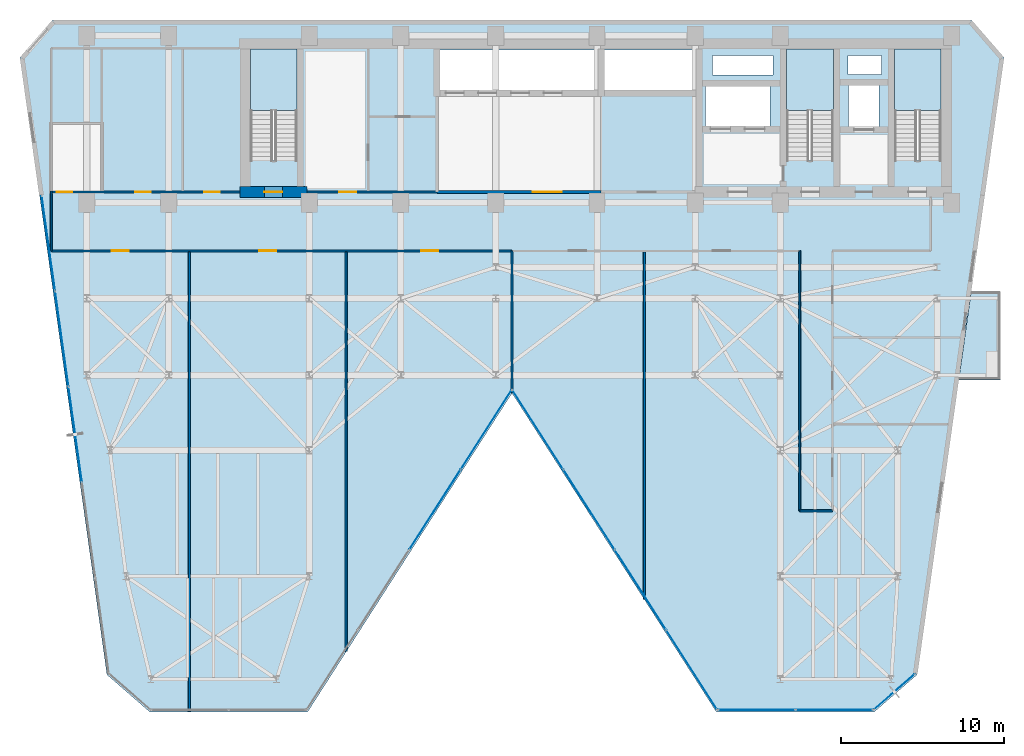
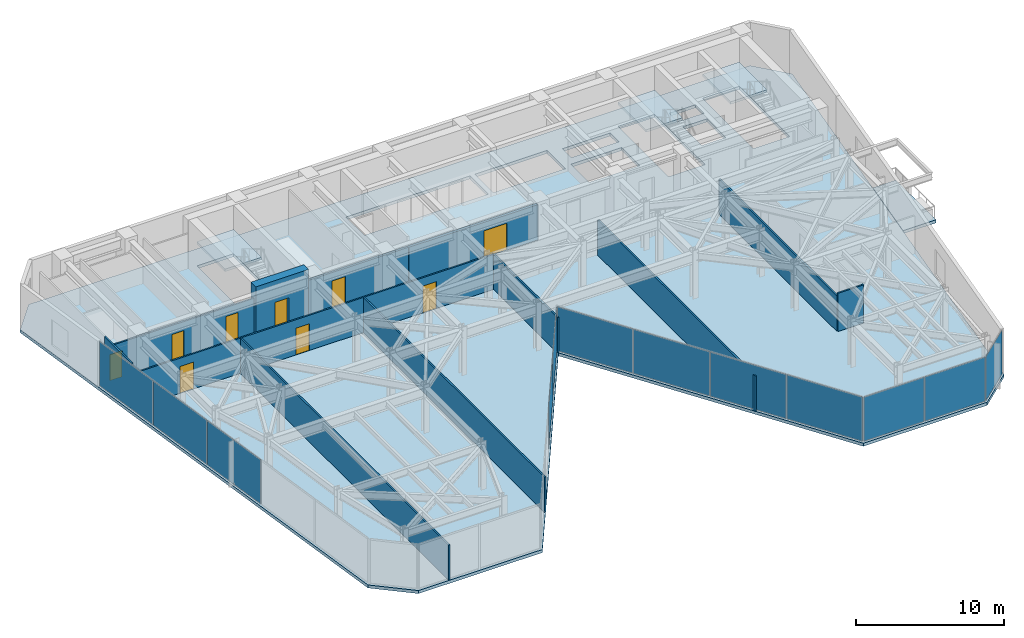
# One storey, part 21 of 26: 12 plates, 12 walls, 9 doors, 5 slabs, 9 openings, 8 elements without a shape of their own.
"""IFC4 building model written with IfcOpenShell, lengths in metres."""

from ifc_helpers import new_model, si_unit, direction, frame, frame_2d, origin, origin_2d, place, context, subcontext, project, spatial, polyline, rectangle, outline, extrude, material, layer, layer_set, type_object, element, fill, aggregate, save


model = new_model("IFC4")

# Units and contexts
model_context = context("Model", 3, precision=1e-05, world=origin(), true_north=direction((0.0, 1.0)))
body_context = subcontext(model_context, "Body", "Model", "MODEL_VIEW")
ifc_project = project(units=[si_unit("LENGTHUNIT", "METRE"), si_unit("AREAUNIT", "SQUARE_METRE"), si_unit("VOLUMEUNIT", "CUBIC_METRE"), si_unit("PLANEANGLEUNIT", "RADIAN"), si_unit("MASSUNIT", "GRAM", prefix="KILO")], contexts=[model_context])

# Site, building, storey
site_placement = place(None, origin())
site = spatial("IfcSite", under=ifc_project, at=site_placement, CompositionType="ELEMENT")
building_placement = place(site_placement, origin())
building = spatial("IfcBuilding", under=site, at=building_placement, Name="Kravanh Interchange Tower", CompositionType="ELEMENT")
storey_placement = place(building_placement, frame((0.0, 0.0, 132.0)))
storey = spatial("IfcBuildingStorey", under=building, at=storey_placement, Name="L31", CompositionType="ELEMENT", Elevation=132.0)

# Slab
ifc_material_1 = material(Name="Concrete C50/60", Category="concrete")
ifc_layer_1 = layer(ifc_material_1, 0.25)
ifc_layer_set_1 = layer_set([ifc_layer_1], Name="Composite Floor Slab Concrete C50/60 250mm")
slab_type_1 = type_object("IfcSlabType", Name="Composite Floor Slab Concrete C50/60 250mm", PredefinedType="FLOOR", material=ifc_layer_set_1)
slab_1_placement = place(storey_placement, frame((0.0, 0.0, -0.25)))
element("IfcSlab", 1, at=slab_1_placement, inside=storey, type_object=slab_type_1, Name="L31 Structural Floor Slab", PredefinedType="FLOOR", context=body_context, shape_type="SweptSolid", body=[
    extrude(outline(polyline([(14.82470703125, 8.4775390625), (17.44482421875, 6.199951171875), (27.10009765625, 6.199951171875), (39.60009765625, 25.699951171875), (52.10009765625, 6.199951171875), (61.755126953125, 6.199951171875), (64.375244140625, 8.4775390625), (69.679931640625, 46.222412109375), (67.699951171875, 48.5), (11.5, 48.5), (9.52001953125, 46.222412109375), (14.82470703125, 8.4775390625)]), holes=[polyline([(65.85009765625, 39.925048828125), (65.85009765625, 46.75), (63.0, 46.75), (63.0, 39.925048828125), (65.85009765625, 39.925048828125)]), polyline([(59.25, 39.925048828125), (59.25, 46.75), (56.39990234375, 46.75), (56.39990234375, 39.925048828125), (59.25, 39.925048828125)]), polyline([(26.449951171875, 39.925048828125), (26.449951171875, 46.75), (23.60009765625, 46.75), (23.60009765625, 39.925048828125), (26.449951171875, 39.925048828125)]), polyline([(35.179931640625, 44.219970703125), (44.840087890625, 44.219970703125), (44.840087890625, 46.699951171875), (35.179931640625, 46.699951171875), (35.179931640625, 44.219970703125)]), polyline([(45.239990234375, 44.219970703125), (50.840087890625, 44.219970703125), (50.840087890625, 46.699951171875), (45.239990234375, 46.699951171875), (45.239990234375, 44.219970703125)]), polyline([(51.419921875, 42.02001953125), (55.3798828125, 42.02001953125), (55.3798828125, 44.47998046875), (51.419921875, 44.47998046875), (51.419921875, 42.02001953125)]), polyline([(60.179931640625, 41.97998046875), (62.06005859375, 41.97998046875), (62.06005859375, 44.52001953125), (60.179931640625, 44.52001953125), (60.179931640625, 41.97998046875)]), polyline([(60.14990234375, 45.199951171875), (62.199951171875, 45.199951171875), (62.199951171875, 46.35009765625), (60.14990234375, 46.35009765625), (60.14990234375, 45.199951171875)]), polyline([(51.85009765625, 45.14990234375), (55.550048828125, 45.14990234375), (55.550048828125, 46.35009765625), (51.85009765625, 46.35009765625), (51.85009765625, 45.14990234375)])]), origin(), (0.0, 0.0, 1.0), 0.25),
])

# Stair, slab
ifc_material_2 = material(Name="Concrete C50/60", Category="concrete")
stair_type = type_object("IfcStairType", Name="Core Fire Exit Dogleg Stair Concrete C50/60", PredefinedType="HALF_TURN_STAIR", material=ifc_material_2)
stair_1_placement = place(storey_placement, origin())
stair_1 = element("IfcStair", 2, at=stair_1_placement, inside=storey, type_object=stair_type, Name="L31 Exit Stair ST1", PredefinedType="HALF_TURN_STAIR")
ifc_material_3 = material(Name="Concrete C50/60", Category="concrete")
ifc_layer_2 = layer(ifc_material_3, 0.199951171875)
ifc_layer_set_2 = layer_set([ifc_layer_2], Name="Concrete C50/60 Stair Half-Landing Slab 200mm")
slab_type_2 = type_object("IfcSlabType", Name="Concrete C50/60 Stair Half-Landing Slab 200mm", PredefinedType="LANDING", material=ifc_layer_set_2)
slab_2_placement = place(storey_placement, frame((0.0, 0.0, 1.800048828125)))
slab_2 = element("IfcSlab", 3, at=slab_2_placement, type_object=slab_type_2, Name="ST1 landing 1", PredefinedType="LANDING", context=body_context, shape_type="SweptSolid", body=[
    extrude(outline(polyline([(65.85009765625, 42.97998046875), (65.85009765625, 46.75), (63.0, 46.75), (63.0, 42.97998046875), (65.85009765625, 42.97998046875)])), origin(), (0.0, 0.0, 1.0), 0.199951171875),
])
aggregate(stair_1, [slab_2])

stair_2_placement = place(storey_placement, origin())
stair_2 = element("IfcStair", 4, at=stair_2_placement, inside=storey, type_object=stair_type, Name="L31 Exit Stair ST2", PredefinedType="HALF_TURN_STAIR")
slab_3_placement = place(storey_placement, frame((0.0, 0.0, 1.800048828125)))
slab_3 = element("IfcSlab", 5, at=slab_3_placement, type_object=slab_type_2, Name="ST2 landing 1", PredefinedType="LANDING", context=body_context, shape_type="SweptSolid", body=[
    extrude(outline(polyline([(59.25, 42.97998046875), (59.25, 46.75), (56.39990234375, 46.75), (56.39990234375, 42.97998046875), (59.25, 42.97998046875)])), origin(), (0.0, 0.0, 1.0), 0.199951171875),
])
aggregate(stair_2, [slab_3])

stair_3_placement = place(storey_placement, origin())
stair_3 = element("IfcStair", 6, at=stair_3_placement, inside=storey, type_object=stair_type, Name="L31 Exit Stair ST3", PredefinedType="HALF_TURN_STAIR")
slab_4_placement = place(storey_placement, frame((0.0, 0.0, 1.800048828125)))
slab_4 = element("IfcSlab", 7, at=slab_4_placement, type_object=slab_type_2, Name="ST3 landing 1", PredefinedType="LANDING", context=body_context, shape_type="SweptSolid", body=[
    extrude(outline(polyline([(26.449951171875, 42.97998046875), (26.449951171875, 46.75), (23.60009765625, 46.75), (23.60009765625, 42.97998046875), (26.449951171875, 42.97998046875)])), origin(), (0.0, 0.0, 1.0), 0.199951171875),
])
aggregate(stair_3, [slab_4])

# Slab
ifc_material_4 = material(Name="Concrete C50/60", Category="concrete")
ifc_layer_3 = layer(ifc_material_4, 0.199951171875)
ifc_layer_set_3 = layer_set([ifc_layer_3], Name="Planted Tree Balcony Slab Concrete C50/60 200mm")
slab_type_3 = type_object("IfcSlabType", Name="Planted Tree Balcony Slab Concrete C50/60 200mm", PredefinedType="USERDEFINED", material=ifc_layer_set_3)
slab_5_placement = place(storey_placement, frame((0.0, 0.0, -0.25)))
element("IfcSlab", 8, at=slab_5_placement, inside=storey, type_object=slab_type_3, Name="L31 East Tree Planter Balcony Slab", ObjectType="BALCONY", PredefinedType="USERDEFINED", context=body_context, shape_type="SweptSolid", body=[
    extrude(outline(polyline([(69.489990234375, 31.909912109375), (69.489990234375, 26.510009765625), (66.924560546875, 26.510009765625), (67.68359375, 31.909912109375), (69.489990234375, 31.909912109375)])), origin(), (0.0, 0.0, 1.0), 0.25),
])

# Curtain wall, plates
ifc_material_5 = material(Name="Anodised Bronze Aluminium", Category="aluminium")
ifc_layer_4 = layer(ifc_material_5, 0.179931640625)
ifc_layer_set_4 = layer_set([ifc_layer_4], Name="Unitised Curtain Wall System CW-Z2 Mid Office")
curtain_wall_type = type_object("IfcCurtainWallType", Name="Unitised Curtain Wall System CW-Z2 Mid Office", PredefinedType="NOTDEFINED", material=ifc_layer_set_4)
curtain_wall_1_placement = place(storey_placement, origin())
curtain_wall_1 = element("IfcCurtainWall", 9, at=curtain_wall_1_placement, inside=storey, type_object=curtain_wall_type, Name="L31 Unitised Curtain Wall CW-L31-01", PredefinedType="NOTDEFINED")
ifc_material_6 = material(Name="Low-E Laminated Architectural Glass", Category="glass")
ifc_layer_5 = layer(ifc_material_6, 0.02587890625)
ifc_layer_set_5 = layer_set([ifc_layer_5], Name="Solar-Control Double Glazing 26mm")
plate_type = type_object("IfcPlateType", Name="Solar-Control Double Glazing 26mm", PredefinedType="CURTAIN_PANEL", material=ifc_layer_set_5)
plate_1_placement = place(storey_placement, frame((12.881103515625, 23.16943359375, 0.06005859375), z_axis=(0.0, 0.0, 1.0), x_axis=(-0.13917285118, 0.990268103846, 0.0)))
plate_1 = element("IfcPlate", 10, at=plate_1_placement, type_object=plate_type, Name="CW-Z2 panel 3.1", PredefinedType="CURTAIN_PANEL", context=body_context, shape_type="SweptSolid", body=[
    extrude(rectangle(XDim=5.849853515625, YDim=0.02587890625, at=origin_2d()), origin(), (0.0, 0.0, 1.0), 3.6298828125),
])
plate_2_placement = place(storey_placement, frame((12.058837890625, 29.021728515625, 0.06005859375), z_axis=(0.0, 0.0, 1.0), x_axis=(-0.13917285118, 0.990268103846, 0.0)))
plate_2 = element("IfcPlate", 11, at=plate_2_placement, type_object=plate_type, Name="CW-Z2 panel 4.1", PredefinedType="CURTAIN_PANEL", context=body_context, shape_type="SweptSolid", body=[
    extrude(rectangle(XDim=5.849853515625, YDim=0.02587890625, at=origin_2d()), origin(), (0.0, 0.0, 1.0), 3.6298828125),
])
plate_3_placement = place(storey_placement, frame((11.23828125, 34.859130859375, 0.06005859375), z_axis=(0.0, 0.0, 1.0), x_axis=(-0.13917285118, 0.990268103846, 0.0)))
plate_3 = element("IfcPlate", 12, at=plate_3_placement, type_object=plate_type, Name="CW-Z2 panel 5.1", PredefinedType="CURTAIN_PANEL", context=body_context, shape_type="SweptSolid", body=[
    extrude(rectangle(XDim=5.81982421875, YDim=0.02587890625, at=origin_2d()), origin(), (0.0, 0.0, 1.0), 3.6298828125),
])
aggregate(curtain_wall_1, [plate_1, plate_2, plate_3])

# Curtain wall, plate
curtain_wall_2_placement = place(storey_placement, origin())
curtain_wall_2 = element("IfcCurtainWall", 13, at=curtain_wall_2_placement, inside=storey, type_object=curtain_wall_type, Name="L31 Unitised Curtain Wall CW-L31-02", PredefinedType="NOTDEFINED")
plate_4_placement = place(storey_placement, frame((62.986328125, 7.429443359375, 0.06005859375), z_axis=(0.0, 0.0, 1.0), x_axis=(-0.754719458103, -0.656047665617, 0.0)))
plate_4 = element("IfcPlate", 14, at=plate_4_placement, type_object=plate_type, Name="CW-Z2 panel 1.1", PredefinedType="CURTAIN_PANEL", context=body_context, shape_type="SweptSolid", body=[
    extrude(rectangle(XDim=3.261962890625, YDim=0.02587890625, at=origin_2d()), origin(), (0.0, 0.0, 1.0), 3.6298828125),
])
aggregate(curtain_wall_2, [plate_4])

# Curtain wall, plates
curtain_wall_3_placement = place(storey_placement, origin())
curtain_wall_3 = element("IfcCurtainWall", 15, at=curtain_wall_3_placement, inside=storey, type_object=curtain_wall_type, Name="L31 Unitised Curtain Wall CW-L31-03", PredefinedType="NOTDEFINED")
plate_5_placement = place(storey_placement, frame((59.30908203125, 6.320068359375, 0.06005859375), z_axis=(0.0, 0.0, 1.0), x_axis=(-1.0, 0.0, 0.0)))
plate_5 = element("IfcPlate", 16, at=plate_5_placement, type_object=plate_type, Name="CW-Z2 panel 1.1", PredefinedType="CURTAIN_PANEL", context=body_context, shape_type="SweptSolid", body=[
    extrude(rectangle(XDim=4.682373046875, YDim=0.02587890625, at=origin_2d()), origin(), (0.0, 0.0, 1.0), 3.6298828125),
])
plate_6_placement = place(storey_placement, frame((54.566650390625, 6.320068359375, 0.06005859375), z_axis=(0.0, 0.0, 1.0), x_axis=(-1.0, 0.0, 0.0)))
plate_6 = element("IfcPlate", 17, at=plate_6_placement, type_object=plate_type, Name="CW-Z2 panel 2.1", PredefinedType="CURTAIN_PANEL", context=body_context, shape_type="SweptSolid", body=[
    extrude(rectangle(XDim=4.682373046875, YDim=0.02587890625, at=origin_2d()), origin(), (0.0, 0.0, 1.0), 3.6298828125),
])
aggregate(curtain_wall_3, [plate_5, plate_6])

curtain_wall_4_placement = place(storey_placement, origin())
curtain_wall_4 = element("IfcCurtainWall", 18, at=curtain_wall_4_placement, inside=storey, type_object=curtain_wall_type, Name="L31 Unitised Curtain Wall CW-L31-04", PredefinedType="NOTDEFINED")
plate_7_placement = place(storey_placement, frame((50.5869140625, 8.782958984375, 0.06005859375), z_axis=(0.0, 0.0, 1.0), x_axis=(-0.539664865919, 0.841879939476, 0.0)))
plate_7 = element("IfcPlate", 19, at=plate_7_placement, type_object=plate_type, Name="CW-Z2 panel 1.1", PredefinedType="CURTAIN_PANEL", context=body_context, shape_type="SweptSolid", body=[
    extrude(rectangle(XDim=5.73095703125, YDim=0.02587890625, at=origin_2d()), origin(), (0.0, 0.0, 1.0), 3.6298828125),
])
plate_8_placement = place(storey_placement, frame((47.45361328125, 13.6708984375, 0.06005859375), z_axis=(0.0, 0.0, 1.0), x_axis=(-0.539664865919, 0.841879939476, 0.0)))
plate_8 = element("IfcPlate", 20, at=plate_8_placement, type_object=plate_type, Name="CW-Z2 panel 2.1", PredefinedType="CURTAIN_PANEL", context=body_context, shape_type="SweptSolid", body=[
    extrude(rectangle(XDim=5.760986328125, YDim=0.02587890625, at=origin_2d()), origin(), (0.0, 0.0, 1.0), 3.6298828125),
])
plate_9_placement = place(storey_placement, frame((44.31201171875, 18.571533203125, 0.06005859375), z_axis=(0.0, 0.0, 1.0), x_axis=(-0.539664865919, 0.841879939476, 0.0)))
plate_9 = element("IfcPlate", 21, at=plate_9_placement, type_object=plate_type, Name="CW-Z2 panel 3.1", PredefinedType="CURTAIN_PANEL", context=body_context, shape_type="SweptSolid", body=[
    extrude(rectangle(XDim=5.760986328125, YDim=0.02587890625, at=origin_2d()), origin(), (0.0, 0.0, 1.0), 3.6298828125),
])
plate_10_placement = place(storey_placement, frame((41.1787109375, 23.45947265625, 0.06005859375), z_axis=(0.0, 0.0, 1.0), x_axis=(-0.539664865919, 0.841879939476, 0.0)))
plate_10 = element("IfcPlate", 22, at=plate_10_placement, type_object=plate_type, Name="CW-Z2 panel 4.1", PredefinedType="CURTAIN_PANEL", context=body_context, shape_type="SweptSolid", body=[
    extrude(rectangle(XDim=5.73095703125, YDim=0.02587890625, at=origin_2d()), origin(), (0.0, 0.0, 1.0), 3.6298828125),
])
aggregate(curtain_wall_4, [plate_7, plate_8, plate_9, plate_10])

curtain_wall_5_placement = place(storey_placement, origin())
curtain_wall_5 = element("IfcCurtainWall", 23, at=curtain_wall_5_placement, inside=storey, type_object=curtain_wall_type, Name="L31 Unitised Curtain Wall CW-L31-05", PredefinedType="NOTDEFINED")
plate_11_placement = place(storey_placement, frame((38.021240234375, 23.45947265625, 0.06005859375), z_axis=(0.0, 0.0, 1.0), x_axis=(-0.539664865919, -0.841879939476, 0.0)))
plate_11 = element("IfcPlate", 24, at=plate_11_placement, type_object=plate_type, Name="CW-Z2 panel 1.1", PredefinedType="CURTAIN_PANEL", context=body_context, shape_type="SweptSolid", body=[
    extrude(rectangle(XDim=5.73095703125, YDim=0.02587890625, at=origin_2d()), origin(), (0.0, 0.0, 1.0), 3.6298828125),
])
plate_12_placement = place(storey_placement, frame((34.887939453125, 18.571533203125, 0.06005859375), z_axis=(0.0, 0.0, 1.0), x_axis=(-0.539664865919, -0.841879939476, 0.0)))
plate_12 = element("IfcPlate", 25, at=plate_12_placement, type_object=plate_type, Name="CW-Z2 panel 2.1", PredefinedType="CURTAIN_PANEL", context=body_context, shape_type="SweptSolid", body=[
    extrude(rectangle(XDim=5.760986328125, YDim=0.02587890625, at=origin_2d()), origin(), (0.0, 0.0, 1.0), 3.6298828125),
])
aggregate(curtain_wall_5, [plate_11, plate_12])

# Wall, openings, doors
ifc_material_7 = material(Name="Double Acoustic Gypsum Board and Mineral Wool")
ifc_layer_6 = layer(ifc_material_7, 0.1201171875)
ifc_layer_set_6 = layer_set([ifc_layer_6], Name="Acoustic Office Drywall Partition 120mm")
wall_type_1 = type_object("IfcWallType", Name="Acoustic Office Drywall Partition 120mm", PredefinedType="PARTITIONING", material=ifc_layer_set_6)
wall_1_placement = place(storey_placement, frame((11.419921875, 38.0, 0.0), z_axis=(0.0, 0.0, 1.0), x_axis=(1.0, 0.0, 0.0)))
wall_1 = element("IfcWall", 26, at=wall_1_placement, inside=storey, type_object=wall_type_1, Name="L31 Restroom Corridor Wall 7", PredefinedType="PARTITIONING", context=body_context, shape_type="SweptSolid", body=[
    extrude(rectangle(XDim=11.530029296875, YDim=0.1201171875, at=frame_2d((5.76513671875, 0.0))), origin(), (0.0, 0.0, 1.0), 2.89404296875),
])
opening_1_placement = place(wall_1_placement, frame((0.3427734375, 0.0, 0.0)))
opening_1 = element("IfcOpeningElement", 27, at=opening_1_placement, cuts=wall_1, Name="Opening D-95", PredefinedType="OPENING", context=body_context, shape_type="SweptSolid", body=[
    extrude(rectangle(XDim=0.949951171875, YDim=2.14990234375, at=frame_2d((0.47509765625, 1.074951171875))), frame((0.0, 0.070068359375, 0.0), z_axis=(0.0, -1.0, 0.0), x_axis=(1.0, 0.0, 0.0)), (0.0, 0.0, 1.0), 0.14013671875),
])
opening_2_placement = place(wall_1_placement, frame((5.130126953125, 0.0, 0.0)))
opening_2 = element("IfcOpeningElement", 28, at=opening_2_placement, cuts=wall_1, Name="Opening D-95", PredefinedType="OPENING", context=body_context, shape_type="SweptSolid", body=[
    extrude(rectangle(XDim=0.949951171875, YDim=2.14990234375, at=frame_2d((0.47509765625, 1.074951171875))), frame((0.0, 0.070068359375, 0.0), z_axis=(0.0, -1.0, 0.0), x_axis=(1.0, 0.0, 0.0)), (0.0, 0.0, 1.0), 0.14013671875),
])
opening_3_placement = place(wall_1_placement, frame((9.344970703125, 0.0, 0.0)))
opening_3 = element("IfcOpeningElement", 29, at=opening_3_placement, cuts=wall_1, Name="Opening D-95", PredefinedType="OPENING", context=body_context, shape_type="SweptSolid", body=[
    extrude(rectangle(XDim=0.949951171875, YDim=2.14990234375, at=frame_2d((0.47509765625, 1.074951171875))), frame((0.0, 0.070068359375, 0.0), z_axis=(0.0, -1.0, 0.0), x_axis=(1.0, 0.0, 0.0)), (0.0, 0.0, 1.0), 0.14013671875),
])
ifc_material_8 = material(Name="Laminate Solid-Core Timber", Category="wood")
door_type_1 = type_object("IfcDoorType", Name="Accessible Restroom Door 950x2150", OperationType="NOTDEFINED", PredefinedType="DOOR", material=ifc_material_8)
door_1_placement = place(opening_1_placement, origin())
door_1 = element("IfcDoor", 30, at=door_1_placement, inside=storey, type_object=door_type_1, Name="L31 Accessible WC Door", OperationType="SINGLE_SWING_LEFT", OverallHeight=2.14990234375, OverallWidth=0.949951171875, PredefinedType="DOOR", context=body_context, shape_type="SweptSolid", body=[
    extrude(rectangle(XDim=0.949951171875, YDim=2.14990234375, at=frame_2d((0.47509765625, 1.074951171875))), frame((0.0, 0.02490234375, 0.0), z_axis=(0.0, -1.0, 0.0), x_axis=(1.0, 0.0, 0.0)), (0.0, 0.0, 1.0), 0.050048828125),
])
fill(opening_1, door_1)
door_2_placement = place(opening_2_placement, origin())
door_2 = element("IfcDoor", 31, at=door_2_placement, inside=storey, type_object=door_type_1, Name="L31 Female WC Door", OperationType="SINGLE_SWING_RIGHT", OverallHeight=2.14990234375, OverallWidth=0.949951171875, PredefinedType="DOOR", context=body_context, shape_type="SweptSolid", body=[
    extrude(rectangle(XDim=0.949951171875, YDim=2.14990234375, at=frame_2d((0.47509765625, 1.074951171875))), frame((0.0, 0.02490234375, 0.0), z_axis=(0.0, -1.0, 0.0), x_axis=(1.0, 0.0, 0.0)), (0.0, 0.0, 1.0), 0.050048828125),
])
fill(opening_2, door_2)
door_3_placement = place(opening_3_placement, origin())
door_3 = element("IfcDoor", 32, at=door_3_placement, inside=storey, type_object=door_type_1, Name="L31 Male WC Door", OperationType="SINGLE_SWING_LEFT", OverallHeight=2.14990234375, OverallWidth=0.949951171875, PredefinedType="DOOR", context=body_context, shape_type="SweptSolid", body=[
    extrude(rectangle(XDim=0.949951171875, YDim=2.14990234375, at=frame_2d((0.47509765625, 1.074951171875))), frame((0.0, 0.02490234375, 0.0), z_axis=(0.0, -1.0, 0.0), x_axis=(1.0, 0.0, 0.0)), (0.0, 0.0, 1.0), 0.050048828125),
])
fill(opening_3, door_3)

wall_2_placement = place(storey_placement, frame((11.419921875, 34.39990234375, 0.0), z_axis=(0.0, 0.0, 1.0), x_axis=(1.0, 0.0, 0.0)))
wall_2 = element("IfcWall", 33, at=wall_2_placement, inside=storey, type_object=wall_type_1, Name="L31 Interior Partition 13", PredefinedType="PARTITIONING", context=body_context, shape_type="SweptSolid", body=[
    extrude(rectangle(XDim=28.18017578125, YDim=0.1201171875, at=frame_2d((14.090087890625, 0.0))), origin(), (0.0, 0.0, 1.0), 2.89404296875),
])
opening_4_placement = place(wall_2_placement, frame((3.699951171875, 0.0, 0.0)))
opening_4 = element("IfcOpeningElement", 34, at=opening_4_placement, cuts=wall_2, Name="Opening D-105", PredefinedType="OPENING", context=body_context, shape_type="SweptSolid", body=[
    extrude(rectangle(XDim=1.050048828125, YDim=2.199951171875, at=frame_2d((0.52490234375, 1.10009765625))), frame((0.0, 0.070068359375, 0.0), z_axis=(0.0, -1.0, 0.0), x_axis=(1.0, 0.0, 0.0)), (0.0, 0.0, 1.0), 0.14013671875),
])
opening_5_placement = place(wall_2_placement, frame((12.719970703125, 0.0, 0.0)))
opening_5 = element("IfcOpeningElement", 35, at=opening_5_placement, cuts=wall_2, Name="Opening D-105", PredefinedType="OPENING", context=body_context, shape_type="SweptSolid", body=[
    extrude(rectangle(XDim=1.050048828125, YDim=2.199951171875, at=frame_2d((0.52490234375, 1.10009765625))), frame((0.0, 0.070068359375, 0.0), z_axis=(0.0, -1.0, 0.0), x_axis=(1.0, 0.0, 0.0)), (0.0, 0.0, 1.0), 0.14013671875),
])
opening_6_placement = place(wall_2_placement, frame((22.625, 0.0, 0.0)))
opening_6 = element("IfcOpeningElement", 36, at=opening_6_placement, cuts=wall_2, Name="Opening D-105", PredefinedType="OPENING", context=body_context, shape_type="SweptSolid", body=[
    extrude(rectangle(XDim=1.050048828125, YDim=2.199951171875, at=frame_2d((0.52490234375, 1.10009765625))), frame((0.0, 0.070068359375, 0.0), z_axis=(0.0, -1.0, 0.0), x_axis=(1.0, 0.0, 0.0)), (0.0, 0.0, 1.0), 0.14013671875),
])
ifc_material_9 = material(Name="Acoustic Glazed Oak and Aluminium", Category="aluminium")
door_type_2 = type_object("IfcDoorType", Name="Office Workplace Door 1050x2200", OperationType="NOTDEFINED", PredefinedType="DOOR", material=ifc_material_9)
door_4_placement = place(opening_4_placement, origin())
door_4 = element("IfcDoor", 37, at=door_4_placement, inside=storey, type_object=door_type_2, Name="L31 West Workplace Office 1 Door", OperationType="SINGLE_SWING_LEFT", OverallHeight=2.199951171875, OverallWidth=1.050048828125, PredefinedType="DOOR", context=body_context, shape_type="SweptSolid", body=[
    extrude(rectangle(XDim=1.050048828125, YDim=2.199951171875, at=frame_2d((0.52490234375, 1.10009765625))), frame((0.0, 0.02490234375, 0.0), z_axis=(0.0, -1.0, 0.0), x_axis=(1.0, 0.0, 0.0)), (0.0, 0.0, 1.0), 0.050048828125),
])
fill(opening_4, door_4)
door_5_placement = place(opening_5_placement, origin())
door_5 = element("IfcDoor", 38, at=door_5_placement, inside=storey, type_object=door_type_2, Name="L31 West Workplace Office 2 Door", OperationType="SINGLE_SWING_RIGHT", OverallHeight=2.199951171875, OverallWidth=1.050048828125, PredefinedType="DOOR", context=body_context, shape_type="SweptSolid", body=[
    extrude(rectangle(XDim=1.050048828125, YDim=2.199951171875, at=frame_2d((0.52490234375, 1.10009765625))), frame((0.0, 0.02490234375, 0.0), z_axis=(0.0, -1.0, 0.0), x_axis=(1.0, 0.0, 0.0)), (0.0, 0.0, 1.0), 0.050048828125),
])
fill(opening_5, door_5)
door_6_placement = place(opening_6_placement, origin())
door_6 = element("IfcDoor", 39, at=door_6_placement, inside=storey, type_object=door_type_2, Name="L31 Briefing Meeting Room 1 Door", OperationType="SINGLE_SWING_LEFT", OverallHeight=2.199951171875, OverallWidth=1.050048828125, PredefinedType="DOOR", context=body_context, shape_type="SweptSolid", body=[
    extrude(rectangle(XDim=1.050048828125, YDim=2.199951171875, at=frame_2d((0.52490234375, 1.10009765625))), frame((0.0, 0.02490234375, 0.0), z_axis=(0.0, -1.0, 0.0), x_axis=(1.0, 0.0, 0.0)), (0.0, 0.0, 1.0), 0.050048828125),
])
fill(opening_6, door_6)

# Walls
wall_3_placement = place(storey_placement, frame((11.419921875, 34.39990234375, 0.0), z_axis=(0.0, 0.0, 1.0), x_axis=(0.0, 1.0, 0.0)))
element("IfcWall", 40, at=wall_3_placement, inside=storey, type_object=wall_type_1, Name="L31 Interior Partition 16", PredefinedType="PARTITIONING", context=body_context, shape_type="SweptSolid", body=[
    extrude(rectangle(XDim=3.650146484375, YDim=0.1201171875, at=frame_2d((1.8251953125, 0.0))), origin(), (0.0, 0.0, 1.0), 3.75),
])
wall_4_placement = place(storey_placement, frame((57.199951171875, 18.5, 0.0), z_axis=(0.0, 0.0, 1.0), x_axis=(0.0, 1.0, 0.0)))
element("IfcWall", 41, at=wall_4_placement, inside=storey, type_object=wall_type_1, Name="L31 Interior Partition 18", PredefinedType="PARTITIONING", context=body_context, shape_type="SweptSolid", body=[
    extrude(rectangle(XDim=15.89990234375, YDim=0.1201171875, at=frame_2d((7.949951171875, 0.0))), origin(), (0.0, 0.0, 1.0), 2.89404296875),
])
wall_5_placement = place(storey_placement, frame((57.199951171875, 18.5, 0.0), z_axis=(0.0, 0.0, 1.0), x_axis=(1.0, 0.0, 0.0)))
element("IfcWall", 42, at=wall_5_placement, inside=storey, type_object=wall_type_1, Name="L31 Interior Partition 20", PredefinedType="PARTITIONING", context=body_context, shape_type="SweptSolid", body=[
    extrude(rectangle(XDim=2.0, YDim=0.1201171875, at=frame_2d((1.0, 0.0))), origin(), (0.0, 0.0, 1.0), 3.14208984375),
])
wall_6_placement = place(storey_placement, frame((39.60009765625, 25.727783203125, 0.0), z_axis=(0.0, 0.0, 1.0), x_axis=(0.0, 1.0, 0.0)))
element("IfcWall", 43, at=wall_6_placement, inside=storey, type_object=wall_type_1, Name="L31 Interior Partition 23", PredefinedType="PARTITIONING", context=body_context, shape_type="SweptSolid", body=[
    extrude(rectangle(XDim=8.672119140625, YDim=0.1201171875, at=frame_2d((4.3359375, 0.0))), origin(), (0.0, 0.0, 1.0), 2.89404296875),
])
wall_7_placement = place(storey_placement, frame((19.8701171875, 6.215087890625, 0.0), z_axis=(0.0, 0.0, 1.0), x_axis=(0.0, 1.0, 0.0)))
element("IfcWall", 44, at=wall_7_placement, inside=storey, type_object=wall_type_1, Name="L31 Interior Partition 24", PredefinedType="PARTITIONING", context=body_context, shape_type="SweptSolid", body=[
    extrude(rectangle(XDim=28.116943359375, YDim=0.1201171875, at=frame_2d((14.05859375, 0.0))), origin(), (0.0, 0.0, 1.0), 2.89404296875),
])
wall_8_placement = place(storey_placement, frame((29.4599609375, 9.909423828125, 0.0), z_axis=(0.0, 0.0, 1.0), x_axis=(0.0, 1.0, 0.0)))
element("IfcWall", 45, at=wall_8_placement, inside=storey, type_object=wall_type_1, Name="L31 Interior Partition 25", PredefinedType="PARTITIONING", context=body_context, shape_type="SweptSolid", body=[
    extrude(rectangle(XDim=24.422607421875, YDim=0.1201171875, at=frame_2d((12.21142578125, 0.0))), origin(), (0.0, 0.0, 1.0), 2.89404296875),
])
wall_9_placement = place(storey_placement, frame((47.699951171875, 13.091796875, 0.0), z_axis=(0.0, 0.0, 1.0), x_axis=(0.0, 1.0, 0.0)))
element("IfcWall", 46, at=wall_9_placement, inside=storey, type_object=wall_type_1, Name="L31 Interior Partition 26", PredefinedType="PARTITIONING", context=body_context, shape_type="SweptSolid", body=[
    extrude(rectangle(XDim=21.240234375, YDim=0.1201171875, at=frame_2d((10.6201171875, 0.0))), origin(), (0.0, 0.0, 1.0), 2.89404296875),
])

# Wall, opening, door
ifc_material_10 = material(Name="Concrete C70/85", Category="concrete")
ifc_layer_7 = layer(ifc_material_10, 0.64990234375)
ifc_layer_set_7 = layer_set([ifc_layer_7], Name="Core Shear Wall Concrete C70/85 650mm")
wall_type_2 = type_object("IfcWallType", Name="Core Shear Wall Concrete C70/85 650mm", PredefinedType="SHEAR", material=ifc_layer_set_7)
wall_10_placement = place(storey_placement, frame((22.949951171875, 38.0, 0.0), z_axis=(0.0, 0.0, 1.0), x_axis=(1.0, 0.0, 0.0)))
wall_10 = element("IfcWall", 47, at=wall_10_placement, inside=storey, type_object=wall_type_2, Name="L31 Stair ST3 South Shear Wall", PredefinedType="SHEAR", context=body_context, shape_type="SweptSolid", body=[
    extrude(rectangle(XDim=4.10009765625, YDim=0.64990234375, at=frame_2d((2.050048828125, 0.0))), origin(), (0.0, 0.0, 1.0), 4.0),
])
opening_7_placement = place(wall_10_placement, frame((1.5, 0.0, 0.0)))
opening_7 = element("IfcOpeningElement", 48, at=opening_7_placement, cuts=wall_10, Name="Opening D-STAIR-110", PredefinedType="OPENING", context=body_context, shape_type="SweptSolid", body=[
    extrude(rectangle(XDim=1.10009765625, YDim=2.199951171875, at=frame_2d((0.550048828125, 1.10009765625))), frame((0.0, 0.3349609375, 0.0), z_axis=(0.0, -1.0, 0.0), x_axis=(1.0, 0.0, 0.0)), (0.0, 0.0, 1.0), 0.669921875),
])
ifc_material_11 = material(Name="Structural Steel S355", Category="steel")
door_type_3 = type_object("IfcDoorType", Name="Fire-Rated Exit Stair Door 1100x2200", OperationType="NOTDEFINED", PredefinedType="DOOR", material=ifc_material_11)
door_7_placement = place(opening_7_placement, origin())
door_7 = element("IfcDoor", 49, at=door_7_placement, inside=storey, type_object=door_type_3, Name="L31 Exit Stair ST3 Door", OperationType="SINGLE_SWING_RIGHT", OverallHeight=2.199951171875, OverallWidth=1.10009765625, PredefinedType="DOOR", context=body_context, shape_type="SweptSolid", body=[
    extrude(rectangle(XDim=1.10009765625, YDim=2.199951171875, at=frame_2d((0.550048828125, 1.10009765625))), frame((0.0, 0.02490234375, 0.0), z_axis=(0.0, -1.0, 0.0), x_axis=(1.0, 0.0, 0.0)), (0.0, 0.0, 1.0), 0.050048828125),
])
fill(opening_7, door_7)

ifc_material_12 = material(Name="Autoclaved Aerated Concrete C30/37 Blockwork", Category="masonry")
ifc_layer_8 = layer(ifc_material_12, 0.179931640625)
ifc_layer_set_8 = layer_set([ifc_layer_8], Name="Fire-Rated Lobby and Corridor Wall Concrete C30/37 180mm")
wall_type_3 = type_object("IfcWallType", Name="Fire-Rated Lobby and Corridor Wall Concrete C30/37 180mm", PredefinedType="STANDARD", material=ifc_layer_set_8)
wall_11_placement = place(storey_placement, frame((35.0, 38.0, 0.0), z_axis=(0.0, 0.0, 1.0), x_axis=(1.0, 0.0, 0.0)))
wall_11 = element("IfcWall", 50, at=wall_11_placement, inside=storey, type_object=wall_type_3, Name="L31 Interior Partition 6", PredefinedType="STANDARD", context=body_context, shape_type="SweptSolid", body=[
    extrude(rectangle(XDim=10.050048828125, YDim=0.179931640625, at=frame_2d((5.02490234375, 0.0))), origin(), (0.0, 0.0, 1.0), 2.89404296875),
])
opening_8_placement = place(wall_11_placement, frame((5.85791015625, 0.0, 0.0)))
opening_8 = element("IfcOpeningElement", 51, at=opening_8_placement, cuts=wall_11, Name="Opening DBL-180", PredefinedType="OPENING", context=body_context, shape_type="SweptSolid", body=[
    extrude(rectangle(XDim=1.800048828125, YDim=2.199951171875, at=frame_2d((0.89990234375, 1.10009765625))), frame((0.0, 0.10009765625, 0.0), z_axis=(0.0, -1.0, 0.0), x_axis=(1.0, 0.0, 0.0)), (0.0, 0.0, 1.0), 0.199951171875),
])
ifc_material_13 = material(Name="Structural Steel S355", Category="steel")
door_type_4 = type_object("IfcDoorType", Name="Lift Lobby Double Fire Door 1800x2200", OperationType="DOUBLE_DOOR_SINGLE_SWING", PredefinedType="DOOR", material=ifc_material_13)
door_8_placement = place(opening_8_placement, origin())
door_8 = element("IfcDoor", 52, at=door_8_placement, inside=storey, type_object=door_type_4, Name="L31 Mid-Rise Lift Lobby Door", OperationType="DOUBLE_DOOR_SINGLE_SWING", OverallHeight=2.199951171875, OverallWidth=1.800048828125, PredefinedType="DOOR", context=body_context, shape_type="SweptSolid", body=[
    extrude(rectangle(XDim=1.800048828125, YDim=2.199951171875, at=frame_2d((0.89990234375, 1.10009765625))), frame((0.0, 0.02490234375, 0.0), z_axis=(0.0, -1.0, 0.0), x_axis=(1.0, 0.0, 0.0)), (0.0, 0.0, 1.0), 0.050048828125),
])
fill(opening_8, door_8)

ifc_material_14 = material(Name="Twin Stud Acoustic Gypsum Board Wall")
ifc_layer_9 = layer(ifc_material_14, 0.14990234375)
ifc_layer_set_9 = layer_set([ifc_layer_9], Name="Medium-Duty Acoustic Partition 150mm")
wall_type_4 = type_object("IfcWallType", Name="Medium-Duty Acoustic Partition 150mm", PredefinedType="PARTITIONING", material=ifc_layer_set_9)
wall_12_placement = place(storey_placement, frame((27.050048828125, 38.0, 0.0), z_axis=(0.0, 0.0, 1.0), x_axis=(1.0, 0.0, 0.0)))
wall_12 = element("IfcWall", 53, at=wall_12_placement, inside=storey, type_object=wall_type_4, Name="L31 Interior Partition 2", PredefinedType="PARTITIONING", context=body_context, shape_type="SweptSolid", body=[
    extrude(rectangle(XDim=7.949951171875, YDim=0.14990234375, at=frame_2d((3.97509765625, 0.0))), origin(), (0.0, 0.0, 1.0), 2.89404296875),
])
opening_9_placement = place(wall_12_placement, frame((1.984619140625, 0.0, 0.0)))
opening_9 = element("IfcOpeningElement", 54, at=opening_9_placement, cuts=wall_12, Name="Opening D-105", PredefinedType="OPENING", context=body_context, shape_type="SweptSolid", body=[
    extrude(rectangle(XDim=1.050048828125, YDim=2.199951171875, at=frame_2d((0.52490234375, 1.10009765625))), frame((0.0, 0.0849609375, 0.0), z_axis=(0.0, -1.0, 0.0), x_axis=(1.0, 0.0, 0.0)), (0.0, 0.0, 1.0), 0.169921875),
])
door_9_placement = place(opening_9_placement, origin())
door_9 = element("IfcDoor", 55, at=door_9_placement, inside=storey, type_object=door_type_2, Name="L31 Staff Coffee Room Door", OperationType="SINGLE_SWING_RIGHT", OverallHeight=2.199951171875, OverallWidth=1.050048828125, PredefinedType="DOOR", context=body_context, shape_type="SweptSolid", body=[
    extrude(rectangle(XDim=1.050048828125, YDim=2.199951171875, at=frame_2d((0.52490234375, 1.10009765625))), frame((0.0, 0.02490234375, 0.0), z_axis=(0.0, -1.0, 0.0), x_axis=(1.0, 0.0, 0.0)), (0.0, 0.0, 1.0), 0.050048828125),
])
fill(opening_9, door_9)

save(model, "model.ifc")
